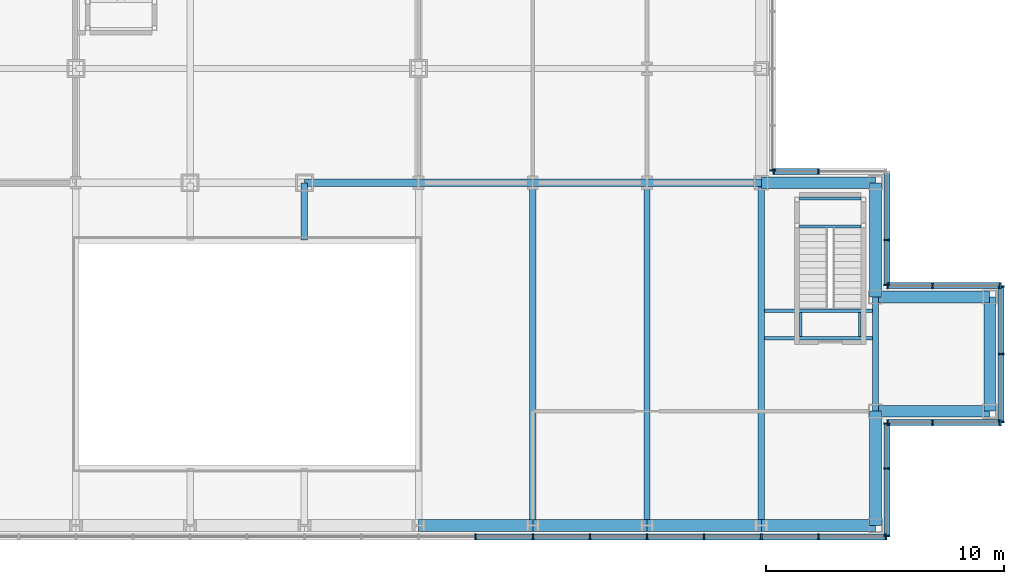
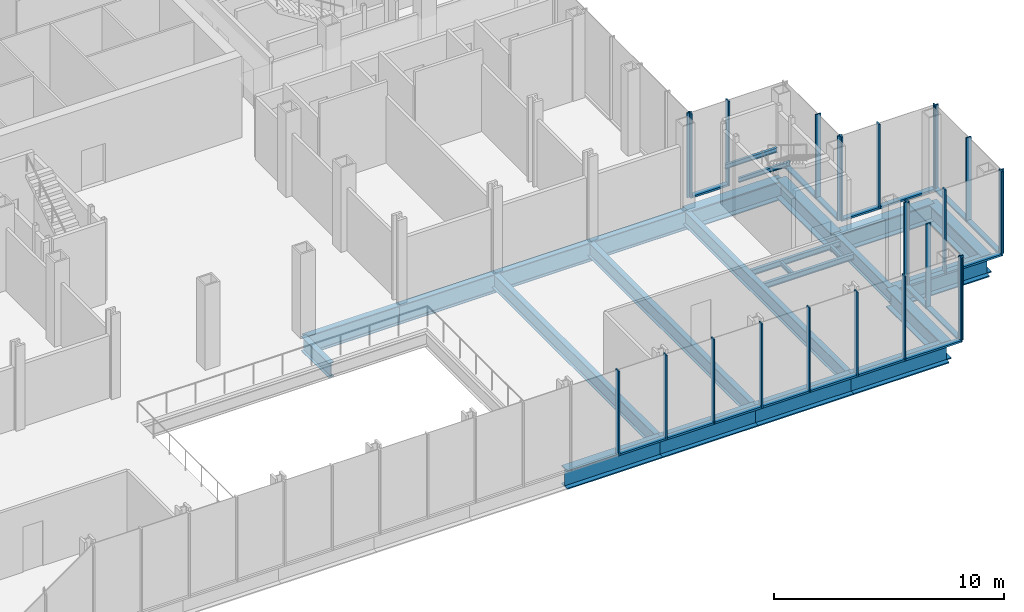
# One storey, part 13 of 25: 43 members, 25 beams, 8 elements without a shape of their own.
"""IFC4 building model written with IfcOpenShell, lengths in metres."""

from ifc_helpers import new_model, si_unit, direction, frame, origin, origin_2d, place, context, subcontext, project, spatial, rectangle, i_section, extrude, material, material_profile, profile_set, type_object, element, aggregate, save


model = new_model("IFC4")

# Units and contexts
model_context = context("Model", 3, precision=1e-05, world=origin(), true_north=direction((0.0, 1.0)))
body_context = subcontext(model_context, "Body", "Model", "MODEL_VIEW")
ifc_project = project(units=[si_unit("LENGTHUNIT", "METRE"), si_unit("AREAUNIT", "SQUARE_METRE"), si_unit("VOLUMEUNIT", "CUBIC_METRE"), si_unit("PLANEANGLEUNIT", "RADIAN"), si_unit("MASSUNIT", "GRAM", prefix="KILO")], contexts=[model_context])

# Site, building, storey
site_placement = place(None, origin())
site = spatial("IfcSite", under=ifc_project, at=site_placement, CompositionType="ELEMENT")
building_placement = place(site_placement, origin())
building = spatial("IfcBuilding", under=site, at=building_placement, Name="Kvirike Care Tower", CompositionType="ELEMENT")
storey_placement = place(building_placement, frame((0.0, 0.0, 13.5)))
storey = spatial("IfcBuildingStorey", under=building, at=storey_placement, Name="L03", CompositionType="ELEMENT", Elevation=13.5)

# Curtain wall, members
ifc_material_1 = material(Name="Anodised aluminium stick system", Category="aluminium")
curtain_wall_type = type_object("IfcCurtainWallType", Name="CW-P PODIUM STICK CURTAIN WALL", PredefinedType="NOTDEFINED", material=ifc_material_1)
curtain_wall_1_placement = place(storey_placement, origin())
curtain_wall_1 = element("IfcCurtainWall", 1, at=curtain_wall_1_placement, inside=storey, type_object=curtain_wall_type, Name="Curtain wall L03 face 1", PredefinedType="NOTDEFINED")
ifc_material_2 = material(Name="Bronze anodised aluminium mullion", Category="aluminium")
ifc_material_profile_1 = material_profile(ifc_material_2, rectangle(XDim=0.06494140625, YDim=0.25, at=origin_2d()), Name="CW-P MULLION 65x250")
ifc_profile_set_1 = profile_set([ifc_material_profile_1], Name="Bronze anodised aluminium mullion")
member_type_1 = type_object("IfcMemberType", Name="CW-P MULLION 65x250", PredefinedType="MULLION", material=ifc_profile_set_1)
member_1_placement = place(storey_placement, frame((31.199951171875, -0.47509765625, 0.0), z_axis=(0.0, 0.0, 1.0), x_axis=(1.0, 0.0, 0.0)))
member_1 = element("IfcMember", 2, at=member_1_placement, type_object=member_type_1, Name="CW-P mullion L03 face 1.16", PredefinedType="MULLION", context=body_context, shape_type="SweptSolid", body=[
    extrude(rectangle(XDim=0.06494140625, YDim=0.25, at=origin_2d()), origin(), (0.0, 0.0, 1.0), 4.5),
])
member_2_placement = place(storey_placement, frame((33.60009765625, -0.47509765625, 0.0), z_axis=(0.0, 0.0, 1.0), x_axis=(1.0, 0.0, 0.0)))
member_2 = element("IfcMember", 3, at=member_2_placement, type_object=member_type_1, Name="CW-P mullion L03 face 1.17", PredefinedType="MULLION", context=body_context, shape_type="SweptSolid", body=[
    extrude(rectangle(XDim=0.06494140625, YDim=0.25, at=origin_2d()), origin(), (0.0, 0.0, 1.0), 4.5),
])
member_3_placement = place(storey_placement, frame((36.0, -0.47509765625, 0.0), z_axis=(0.0, 0.0, 1.0), x_axis=(1.0, 0.0, 0.0)))
member_3 = element("IfcMember", 4, at=member_3_placement, type_object=member_type_1, Name="CW-P mullion L03 face 1.18", PredefinedType="MULLION", context=body_context, shape_type="SweptSolid", body=[
    extrude(rectangle(XDim=0.06494140625, YDim=0.25, at=origin_2d()), origin(), (0.0, 0.0, 1.0), 4.5),
])
member_4_placement = place(storey_placement, frame((38.39990234375, -0.47509765625, 0.0), z_axis=(0.0, 0.0, 1.0), x_axis=(1.0, 0.0, 0.0)))
member_4 = element("IfcMember", 5, at=member_4_placement, type_object=member_type_1, Name="CW-P mullion L03 face 1.19", PredefinedType="MULLION", context=body_context, shape_type="SweptSolid", body=[
    extrude(rectangle(XDim=0.06494140625, YDim=0.25, at=origin_2d()), origin(), (0.0, 0.0, 1.0), 4.5),
])
member_5_placement = place(storey_placement, frame((40.800048828125, -0.47509765625, 0.0), z_axis=(0.0, 0.0, 1.0), x_axis=(1.0, 0.0, 0.0)))
member_5 = element("IfcMember", 6, at=member_5_placement, type_object=member_type_1, Name="CW-P mullion L03 face 1.20", PredefinedType="MULLION", context=body_context, shape_type="SweptSolid", body=[
    extrude(rectangle(XDim=0.06494140625, YDim=0.25, at=origin_2d()), origin(), (0.0, 0.0, 1.0), 4.5),
])
member_6_placement = place(storey_placement, frame((43.199951171875, -0.47509765625, 0.0), z_axis=(0.0, 0.0, 1.0), x_axis=(1.0, 0.0, 0.0)))
member_6 = element("IfcMember", 7, at=member_6_placement, type_object=member_type_1, Name="CW-P mullion L03 face 1.21", PredefinedType="MULLION", context=body_context, shape_type="SweptSolid", body=[
    extrude(rectangle(XDim=0.06494140625, YDim=0.25, at=origin_2d()), origin(), (0.0, 0.0, 1.0), 4.5),
])
member_7_placement = place(storey_placement, frame((45.60009765625, -0.47509765625, 0.0), z_axis=(0.0, 0.0, 1.0), x_axis=(1.0, 0.0, 0.0)))
member_7 = element("IfcMember", 8, at=member_7_placement, type_object=member_type_1, Name="CW-P mullion L03 face 1.22", PredefinedType="MULLION", context=body_context, shape_type="SweptSolid", body=[
    extrude(rectangle(XDim=0.06494140625, YDim=0.25, at=origin_2d()), origin(), (0.0, 0.0, 1.0), 4.5),
])
member_8_placement = place(storey_placement, frame((48.4423828125, -0.47509765625, 0.0), z_axis=(0.0, 0.0, 1.0), x_axis=(1.0, 0.0, 0.0)))
member_8 = element("IfcMember", 9, at=member_8_placement, type_object=member_type_1, Name="CW-P mullion L03 face 1.23", PredefinedType="MULLION", context=body_context, shape_type="SweptSolid", body=[
    extrude(rectangle(XDim=0.06494140625, YDim=0.25, at=origin_2d()), origin(), (0.0, 0.0, 1.0), 4.5),
])

curtain_wall_2_placement = place(storey_placement, origin())
curtain_wall_2 = element("IfcCurtainWall", 10, at=curtain_wall_2_placement, inside=storey, type_object=curtain_wall_type, Name="Curtain wall L03 face 2", PredefinedType="NOTDEFINED")
member_9_placement = place(storey_placement, frame((48.47509765625, -0.4423828125, 0.0), z_axis=(0.0, 0.0, 1.0), x_axis=(0.0, 1.0, 0.0)))
member_9 = element("IfcMember", 11, at=member_9_placement, type_object=member_type_1, Name="CW-P mullion L03 face 2.1", PredefinedType="MULLION", context=body_context, shape_type="SweptSolid", body=[
    extrude(rectangle(XDim=0.06494140625, YDim=0.25, at=origin_2d()), origin(), (0.0, 0.0, 1.0), 4.5),
])
member_10_placement = place(storey_placement, frame((48.47509765625, 2.39990234375, 0.0), z_axis=(0.0, 0.0, 1.0), x_axis=(0.0, 1.0, 0.0)))
member_10 = element("IfcMember", 12, at=member_10_placement, type_object=member_type_1, Name="CW-P mullion L03 face 2.2", PredefinedType="MULLION", context=body_context, shape_type="SweptSolid", body=[
    extrude(rectangle(XDim=0.06494140625, YDim=0.25, at=origin_2d()), origin(), (0.0, 0.0, 1.0), 4.5),
])
member_11_placement = place(storey_placement, frame((48.47509765625, 4.29248046875, 0.0), z_axis=(0.0, 0.0, 1.0), x_axis=(0.0, 1.0, 0.0)))
member_11 = element("IfcMember", 13, at=member_11_placement, type_object=member_type_1, Name="CW-P mullion L03 face 2.3", PredefinedType="MULLION", context=body_context, shape_type="SweptSolid", body=[
    extrude(rectangle(XDim=0.06494140625, YDim=0.25, at=origin_2d()), origin(), (0.0, 0.0, 1.0), 4.5),
])

curtain_wall_3_placement = place(storey_placement, origin())
curtain_wall_3 = element("IfcCurtainWall", 14, at=curtain_wall_3_placement, inside=storey, type_object=curtain_wall_type, Name="Curtain wall L03 face 3", PredefinedType="NOTDEFINED")
member_12_placement = place(storey_placement, frame((48.507568359375, 4.324951171875, 0.0), z_axis=(0.0, 0.0, 1.0), x_axis=(1.0, 0.0, 0.0)))
member_12 = element("IfcMember", 15, at=member_12_placement, type_object=member_type_1, Name="CW-P mullion L03 face 3.1", PredefinedType="MULLION", context=body_context, shape_type="SweptSolid", body=[
    extrude(rectangle(XDim=0.06494140625, YDim=0.25, at=origin_2d()), origin(), (0.0, 0.0, 1.0), 4.5),
])
member_13_placement = place(storey_placement, frame((50.39990234375, 4.324951171875, 0.0), z_axis=(0.0, 0.0, 1.0), x_axis=(1.0, 0.0, 0.0)))
member_13 = element("IfcMember", 16, at=member_13_placement, type_object=member_type_1, Name="CW-P mullion L03 face 3.2", PredefinedType="MULLION", context=body_context, shape_type="SweptSolid", body=[
    extrude(rectangle(XDim=0.06494140625, YDim=0.25, at=origin_2d()), origin(), (0.0, 0.0, 1.0), 4.5),
])
member_14_placement = place(storey_placement, frame((53.242431640625, 4.324951171875, 0.0), z_axis=(0.0, 0.0, 1.0), x_axis=(1.0, 0.0, 0.0)))
member_14 = element("IfcMember", 17, at=member_14_placement, type_object=member_type_1, Name="CW-P mullion L03 face 3.3", PredefinedType="MULLION", context=body_context, shape_type="SweptSolid", body=[
    extrude(rectangle(XDim=0.06494140625, YDim=0.25, at=origin_2d()), origin(), (0.0, 0.0, 1.0), 4.5),
])

curtain_wall_4_placement = place(storey_placement, origin())
curtain_wall_4 = element("IfcCurtainWall", 18, at=curtain_wall_4_placement, inside=storey, type_object=curtain_wall_type, Name="Curtain wall L03 face 4", PredefinedType="NOTDEFINED")
member_15_placement = place(storey_placement, frame((53.27490234375, 4.357421875, 0.0), z_axis=(0.0, 0.0, 1.0), x_axis=(0.0, 1.0, 0.0)))
member_15 = element("IfcMember", 19, at=member_15_placement, type_object=member_type_1, Name="CW-P mullion L03 face 4.1", PredefinedType="MULLION", context=body_context, shape_type="SweptSolid", body=[
    extrude(rectangle(XDim=0.06494140625, YDim=0.25, at=origin_2d()), origin(), (0.0, 0.0, 1.0), 4.5),
])
member_16_placement = place(storey_placement, frame((53.27490234375, 7.199951171875, 0.0), z_axis=(0.0, 0.0, 1.0), x_axis=(0.0, 1.0, 0.0)))
member_16 = element("IfcMember", 20, at=member_16_placement, type_object=member_type_1, Name="CW-P mullion L03 face 4.2", PredefinedType="MULLION", context=body_context, shape_type="SweptSolid", body=[
    extrude(rectangle(XDim=0.06494140625, YDim=0.25, at=origin_2d()), origin(), (0.0, 0.0, 1.0), 4.5),
])
member_17_placement = place(storey_placement, frame((53.27490234375, 10.04248046875, 0.0), z_axis=(0.0, 0.0, 1.0), x_axis=(0.0, 1.0, 0.0)))
member_17 = element("IfcMember", 21, at=member_17_placement, type_object=member_type_1, Name="CW-P mullion L03 face 4.3", PredefinedType="MULLION", context=body_context, shape_type="SweptSolid", body=[
    extrude(rectangle(XDim=0.06494140625, YDim=0.25, at=origin_2d()), origin(), (0.0, 0.0, 1.0), 4.5),
])

curtain_wall_5_placement = place(storey_placement, origin())
curtain_wall_5 = element("IfcCurtainWall", 22, at=curtain_wall_5_placement, inside=storey, type_object=curtain_wall_type, Name="Curtain wall L03 face 5", PredefinedType="NOTDEFINED")
member_18_placement = place(storey_placement, frame((53.242431640625, 10.074951171875, 0.0), z_axis=(0.0, 0.0, 1.0), x_axis=(-1.0, 0.0, 0.0)))
member_18 = element("IfcMember", 23, at=member_18_placement, type_object=member_type_1, Name="CW-P mullion L03 face 5.1", PredefinedType="MULLION", context=body_context, shape_type="SweptSolid", body=[
    extrude(rectangle(XDim=0.06494140625, YDim=0.25, at=origin_2d()), origin(), (0.0, 0.0, 1.0), 4.5),
])
member_19_placement = place(storey_placement, frame((50.39990234375, 10.074951171875, 0.0), z_axis=(0.0, 0.0, 1.0), x_axis=(-1.0, 0.0, 0.0)))
member_19 = element("IfcMember", 24, at=member_19_placement, type_object=member_type_1, Name="CW-P mullion L03 face 5.2", PredefinedType="MULLION", context=body_context, shape_type="SweptSolid", body=[
    extrude(rectangle(XDim=0.06494140625, YDim=0.25, at=origin_2d()), origin(), (0.0, 0.0, 1.0), 4.5),
])
member_20_placement = place(storey_placement, frame((48.507568359375, 10.074951171875, 0.0), z_axis=(0.0, 0.0, 1.0), x_axis=(-1.0, 0.0, 0.0)))
member_20 = element("IfcMember", 25, at=member_20_placement, type_object=member_type_1, Name="CW-P mullion L03 face 5.3", PredefinedType="MULLION", context=body_context, shape_type="SweptSolid", body=[
    extrude(rectangle(XDim=0.06494140625, YDim=0.25, at=origin_2d()), origin(), (0.0, 0.0, 1.0), 4.5),
])

curtain_wall_6_placement = place(storey_placement, origin())
curtain_wall_6 = element("IfcCurtainWall", 26, at=curtain_wall_6_placement, inside=storey, type_object=curtain_wall_type, Name="Curtain wall L03 face 6", PredefinedType="NOTDEFINED")
member_21_placement = place(storey_placement, frame((48.47509765625, 10.107421875, 0.0), z_axis=(0.0, 0.0, 1.0), x_axis=(0.0, 1.0, 0.0)))
member_21 = element("IfcMember", 27, at=member_21_placement, type_object=member_type_1, Name="CW-P mullion L03 face 6.1", PredefinedType="MULLION", context=body_context, shape_type="SweptSolid", body=[
    extrude(rectangle(XDim=0.06494140625, YDim=0.25, at=origin_2d()), origin(), (0.0, 0.0, 1.0), 4.5),
])
member_22_placement = place(storey_placement, frame((48.47509765625, 12.0, 0.0), z_axis=(0.0, 0.0, 1.0), x_axis=(0.0, 1.0, 0.0)))
member_22 = element("IfcMember", 28, at=member_22_placement, type_object=member_type_1, Name="CW-P mullion L03 face 6.2", PredefinedType="MULLION", context=body_context, shape_type="SweptSolid", body=[
    extrude(rectangle(XDim=0.06494140625, YDim=0.25, at=origin_2d()), origin(), (0.0, 0.0, 1.0), 4.5),
])

curtain_wall_7_placement = place(storey_placement, origin())
curtain_wall_7 = element("IfcCurtainWall", 29, at=curtain_wall_7_placement, inside=storey, type_object=curtain_wall_type, Name="Curtain wall L03 face 7", PredefinedType="NOTDEFINED")
member_23_placement = place(storey_placement, frame((45.60009765625, 14.875, 0.0), z_axis=(0.0, 0.0, 1.0), x_axis=(-1.0, 0.0, 0.0)))
member_23 = element("IfcMember", 30, at=member_23_placement, type_object=member_type_1, Name="CW-P mullion L03 face 7.2", PredefinedType="MULLION", context=body_context, shape_type="SweptSolid", body=[
    extrude(rectangle(XDim=0.06494140625, YDim=0.25, at=origin_2d()), origin(), (0.0, 0.0, 1.0), 4.5),
])
member_24_placement = place(storey_placement, frame((43.70751953125, 14.875, 0.0), z_axis=(0.0, 0.0, 1.0), x_axis=(-1.0, 0.0, 0.0)))
member_24 = element("IfcMember", 31, at=member_24_placement, type_object=member_type_1, Name="CW-P mullion L03 face 7.3", PredefinedType="MULLION", context=body_context, shape_type="SweptSolid", body=[
    extrude(rectangle(XDim=0.06494140625, YDim=0.25, at=origin_2d()), origin(), (0.0, 0.0, 1.0), 4.5),
])

# Curtain wall, member
curtain_wall_8_placement = place(storey_placement, origin())
curtain_wall_8 = element("IfcCurtainWall", 32, at=curtain_wall_8_placement, inside=storey, type_object=curtain_wall_type, Name="Curtain wall L03 face 8", PredefinedType="NOTDEFINED")
member_25_placement = place(storey_placement, frame((43.675048828125, 14.907470703125, 0.0), z_axis=(0.0, 0.0, 1.0), x_axis=(0.0, 1.0, 0.0)))
member_25 = element("IfcMember", 33, at=member_25_placement, type_object=member_type_1, Name="CW-P mullion L03 face 8.1", PredefinedType="MULLION", context=body_context, shape_type="SweptSolid", body=[
    extrude(rectangle(XDim=0.06494140625, YDim=0.25, at=origin_2d()), origin(), (0.0, 0.0, 1.0), 4.5),
])
aggregate(curtain_wall_8, [member_25])

# Member
ifc_material_3 = material(Name="Bronze anodised aluminium transom", Category="aluminium")
ifc_material_profile_2 = material_profile(ifc_material_3, rectangle(XDim=0.25, YDim=0.10009765625, at=origin_2d()), Name="CW-P TRANSOM 250x100")
ifc_profile_set_2 = profile_set([ifc_material_profile_2], Name="Bronze anodised aluminium transom")
member_type_2 = type_object("IfcMemberType", Name="CW-P TRANSOM 250x100", PredefinedType="USERDEFINED", material=ifc_profile_set_2)
member_26_placement = place(storey_placement, frame((31.232421875, -0.47509765625, 0.050048828125), z_axis=(1.0, 0.0, 0.0), x_axis=(0.0, 1.0, 0.0)))
member_26 = element("IfcMember", 34, at=member_26_placement, type_object=member_type_2, Name="CW-P sill transom L03 face 1.16", ObjectType="TRANSOM", PredefinedType="USERDEFINED", context=body_context, shape_type="SweptSolid", body=[
    extrude(rectangle(XDim=0.25, YDim=0.10009765625, at=origin_2d()), origin(), (0.0, 0.0, 1.0), 2.3349609375),
])

member_27_placement = place(storey_placement, frame((33.632568359375, -0.47509765625, 0.050048828125), z_axis=(1.0, 0.0, 0.0), x_axis=(0.0, 1.0, 0.0)))
member_27 = element("IfcMember", 35, at=member_27_placement, type_object=member_type_2, Name="CW-P sill transom L03 face 1.17", ObjectType="TRANSOM", PredefinedType="USERDEFINED", context=body_context, shape_type="SweptSolid", body=[
    extrude(rectangle(XDim=0.25, YDim=0.10009765625, at=origin_2d()), origin(), (0.0, 0.0, 1.0), 2.3349609375),
])

member_28_placement = place(storey_placement, frame((36.032470703125, -0.47509765625, 0.050048828125), z_axis=(1.0, 0.0, 0.0), x_axis=(0.0, 1.0, 0.0)))
member_28 = element("IfcMember", 36, at=member_28_placement, type_object=member_type_2, Name="CW-P sill transom L03 face 1.18", ObjectType="TRANSOM", PredefinedType="USERDEFINED", context=body_context, shape_type="SweptSolid", body=[
    extrude(rectangle(XDim=0.25, YDim=0.10009765625, at=origin_2d()), origin(), (0.0, 0.0, 1.0), 2.3349609375),
])

member_29_placement = place(storey_placement, frame((38.4326171875, -0.47509765625, 0.050048828125), z_axis=(1.0, 0.0, 0.0), x_axis=(0.0, 1.0, 0.0)))
member_29 = element("IfcMember", 37, at=member_29_placement, type_object=member_type_2, Name="CW-P sill transom L03 face 1.19", ObjectType="TRANSOM", PredefinedType="USERDEFINED", context=body_context, shape_type="SweptSolid", body=[
    extrude(rectangle(XDim=0.25, YDim=0.10009765625, at=origin_2d()), origin(), (0.0, 0.0, 1.0), 2.3349609375),
])

member_30_placement = place(storey_placement, frame((40.83251953125, -0.47509765625, 0.050048828125), z_axis=(1.0, 0.0, 0.0), x_axis=(0.0, 1.0, 0.0)))
member_30 = element("IfcMember", 38, at=member_30_placement, type_object=member_type_2, Name="CW-P sill transom L03 face 1.20", ObjectType="TRANSOM", PredefinedType="USERDEFINED", context=body_context, shape_type="SweptSolid", body=[
    extrude(rectangle(XDim=0.25, YDim=0.10009765625, at=origin_2d()), origin(), (0.0, 0.0, 1.0), 2.3349609375),
])

member_31_placement = place(storey_placement, frame((43.232421875, -0.47509765625, 0.050048828125), z_axis=(1.0, 0.0, 0.0), x_axis=(0.0, 1.0, 0.0)))
member_31 = element("IfcMember", 39, at=member_31_placement, type_object=member_type_2, Name="CW-P sill transom L03 face 1.21", ObjectType="TRANSOM", PredefinedType="USERDEFINED", context=body_context, shape_type="SweptSolid", body=[
    extrude(rectangle(XDim=0.25, YDim=0.10009765625, at=origin_2d()), origin(), (0.0, 0.0, 1.0), 2.3349609375),
])

member_32_placement = place(storey_placement, frame((45.632568359375, -0.47509765625, 0.050048828125), z_axis=(1.0, 0.0, 0.0), x_axis=(0.0, 1.0, 0.0)))
member_32 = element("IfcMember", 40, at=member_32_placement, type_object=member_type_2, Name="CW-P sill transom L03 face 1.22", ObjectType="TRANSOM", PredefinedType="USERDEFINED", context=body_context, shape_type="SweptSolid", body=[
    extrude(rectangle(XDim=0.25, YDim=0.10009765625, at=origin_2d()), origin(), (0.0, 0.0, 1.0), 2.77734375),
])

aggregate(curtain_wall_1, [member_1, member_2, member_3, member_4, member_5, member_6, member_7, member_8, member_26, member_27, member_28, member_29, member_30, member_31, member_32])

member_33_placement = place(storey_placement, frame((48.47509765625, -0.409912109375, 0.050048828125), z_axis=(0.0, 1.0, 0.0), x_axis=(-1.0, 0.0, 0.0)))
member_33 = element("IfcMember", 41, at=member_33_placement, type_object=member_type_2, Name="CW-P sill transom L03 face 2.1", ObjectType="TRANSOM", PredefinedType="USERDEFINED", context=body_context, shape_type="SweptSolid", body=[
    extrude(rectangle(XDim=0.25, YDim=0.10009765625, at=origin_2d()), origin(), (0.0, 0.0, 1.0), 2.77734375),
])

member_34_placement = place(storey_placement, frame((48.47509765625, 2.4326171875, 0.050048828125), z_axis=(0.0, 1.0, 0.0), x_axis=(-1.0, 0.0, 0.0)))
member_34 = element("IfcMember", 42, at=member_34_placement, type_object=member_type_2, Name="CW-P sill transom L03 face 2.2", ObjectType="TRANSOM", PredefinedType="USERDEFINED", context=body_context, shape_type="SweptSolid", body=[
    extrude(rectangle(XDim=0.25, YDim=0.10009765625, at=origin_2d()), origin(), (0.0, 0.0, 1.0), 1.827392578125),
])

aggregate(curtain_wall_2, [member_9, member_10, member_11, member_33, member_34])

member_35_placement = place(storey_placement, frame((48.5400390625, 4.324951171875, 0.050048828125), z_axis=(1.0, 0.0, 0.0), x_axis=(0.0, 1.0, 0.0)))
member_35 = element("IfcMember", 43, at=member_35_placement, type_object=member_type_2, Name="CW-P sill transom L03 face 3.1", ObjectType="TRANSOM", PredefinedType="USERDEFINED", context=body_context, shape_type="SweptSolid", body=[
    extrude(rectangle(XDim=0.25, YDim=0.10009765625, at=origin_2d()), origin(), (0.0, 0.0, 1.0), 1.827392578125),
])

member_36_placement = place(storey_placement, frame((50.4326171875, 4.324951171875, 0.050048828125), z_axis=(1.0, 0.0, 0.0), x_axis=(0.0, 1.0, 0.0)))
member_36 = element("IfcMember", 44, at=member_36_placement, type_object=member_type_2, Name="CW-P sill transom L03 face 3.2", ObjectType="TRANSOM", PredefinedType="USERDEFINED", context=body_context, shape_type="SweptSolid", body=[
    extrude(rectangle(XDim=0.25, YDim=0.10009765625, at=origin_2d()), origin(), (0.0, 0.0, 1.0), 2.77734375),
])

aggregate(curtain_wall_3, [member_12, member_13, member_14, member_35, member_36])

member_37_placement = place(storey_placement, frame((53.27490234375, 4.389892578125, 0.050048828125), z_axis=(0.0, 1.0, 0.0), x_axis=(-1.0, 0.0, 0.0)))
member_37 = element("IfcMember", 45, at=member_37_placement, type_object=member_type_2, Name="CW-P sill transom L03 face 4.1", ObjectType="TRANSOM", PredefinedType="USERDEFINED", context=body_context, shape_type="SweptSolid", body=[
    extrude(rectangle(XDim=0.25, YDim=0.10009765625, at=origin_2d()), origin(), (0.0, 0.0, 1.0), 2.777587890625),
])

member_38_placement = place(storey_placement, frame((53.27490234375, 7.232421875, 0.050048828125), z_axis=(0.0, 1.0, 0.0), x_axis=(-1.0, 0.0, 0.0)))
member_38 = element("IfcMember", 46, at=member_38_placement, type_object=member_type_2, Name="CW-P sill transom L03 face 4.2", ObjectType="TRANSOM", PredefinedType="USERDEFINED", context=body_context, shape_type="SweptSolid", body=[
    extrude(rectangle(XDim=0.25, YDim=0.10009765625, at=origin_2d()), origin(), (0.0, 0.0, 1.0), 2.777587890625),
])

aggregate(curtain_wall_4, [member_15, member_16, member_17, member_37, member_38])

member_39_placement = place(storey_placement, frame((53.2099609375, 10.074951171875, 0.050048828125), z_axis=(-1.0, 0.0, 0.0), x_axis=(0.0, -1.0, 0.0)))
member_39 = element("IfcMember", 47, at=member_39_placement, type_object=member_type_2, Name="CW-P sill transom L03 face 5.1", ObjectType="TRANSOM", PredefinedType="USERDEFINED", context=body_context, shape_type="SweptSolid", body=[
    extrude(rectangle(XDim=0.25, YDim=0.10009765625, at=origin_2d()), origin(), (0.0, 0.0, 1.0), 2.77734375),
])

member_40_placement = place(storey_placement, frame((50.367431640625, 10.074951171875, 0.050048828125), z_axis=(-1.0, 0.0, 0.0), x_axis=(0.0, -1.0, 0.0)))
member_40 = element("IfcMember", 48, at=member_40_placement, type_object=member_type_2, Name="CW-P sill transom L03 face 5.2", ObjectType="TRANSOM", PredefinedType="USERDEFINED", context=body_context, shape_type="SweptSolid", body=[
    extrude(rectangle(XDim=0.25, YDim=0.10009765625, at=origin_2d()), origin(), (0.0, 0.0, 1.0), 1.827392578125),
])

aggregate(curtain_wall_5, [member_18, member_19, member_20, member_39, member_40])

member_41_placement = place(storey_placement, frame((48.47509765625, 10.139892578125, 0.050048828125), z_axis=(0.0, 1.0, 0.0), x_axis=(-1.0, 0.0, 0.0)))
member_41 = element("IfcMember", 49, at=member_41_placement, type_object=member_type_2, Name="CW-P sill transom L03 face 6.1", ObjectType="TRANSOM", PredefinedType="USERDEFINED", context=body_context, shape_type="SweptSolid", body=[
    extrude(rectangle(XDim=0.25, YDim=0.10009765625, at=origin_2d()), origin(), (0.0, 0.0, 1.0), 1.82763671875),
])

member_42_placement = place(storey_placement, frame((48.47509765625, 12.032470703125, 0.050048828125), z_axis=(0.0, 1.0, 0.0), x_axis=(-1.0, 0.0, 0.0)))
member_42 = element("IfcMember", 50, at=member_42_placement, type_object=member_type_2, Name="CW-P sill transom L03 face 6.2", ObjectType="TRANSOM", PredefinedType="USERDEFINED", context=body_context, shape_type="SweptSolid", body=[
    extrude(rectangle(XDim=0.25, YDim=0.10009765625, at=origin_2d()), origin(), (0.0, 0.0, 1.0), 2.777587890625),
])

aggregate(curtain_wall_6, [member_21, member_22, member_41, member_42])

member_43_placement = place(storey_placement, frame((45.5673828125, 14.875, 0.050048828125), z_axis=(-1.0, 0.0, 0.0), x_axis=(0.0, -1.0, 0.0)))
member_43 = element("IfcMember", 51, at=member_43_placement, type_object=member_type_2, Name="CW-P sill transom L03 face 7.2", ObjectType="TRANSOM", PredefinedType="USERDEFINED", context=body_context, shape_type="SweptSolid", body=[
    extrude(rectangle(XDim=0.25, YDim=0.10009765625, at=origin_2d()), origin(), (0.0, 0.0, 1.0), 1.827392578125),
])

aggregate(curtain_wall_7, [member_23, member_24, member_43])

# Beams
ifc_material_4 = material(Name="Steel S355", Category="steel")
ifc_material_profile_3 = material_profile(ifc_material_4, i_section(OverallWidth=0.26806640625, OverallDepth=0.77001953125, WebThickness=0.015625, FlangeThickness=0.025390625, FilletRadius=0.01708984375, at=origin_2d()), Name="IPE 750x196")
ifc_profile_set_3 = profile_set([ifc_material_profile_3], Name="Steel S355")
beam_type_1 = type_object("IfcBeamType", Name="FLOOR BEAM IPE 750x196", PredefinedType="BEAM", material=ifc_profile_set_3)
beam_1_placement = place(storey_placement, frame((24.0, 12.0, -0.554931640625), z_axis=(0.0, 1.0, 0.0), x_axis=(-1.0, 0.0, 0.0)))
element("IfcBeam", 52, at=beam_1_placement, inside=storey, type_object=beam_type_1, Name="Floor Beam 24.00/12.00-D8 L03", PredefinedType="BEAM", context=body_context, shape_type="SweptSolid", body=[
    extrude(i_section(OverallWidth=0.26806640625, OverallDepth=0.77001953125, WebThickness=0.015625, FlangeThickness=0.025390625, FilletRadius=0.01708984375, at=origin_2d()), origin(), (0.0, 0.0, 1.0), 2.39990234375),
])
for number, where, z_axis, x_axis, name in (
    (53, (33.60009765625, 0.0, -0.554931640625), (0.0, 1.0, 0.0), (-1.0, 0.0, 0.0), "Floor Beam A10-D10 L03"),
    (54, (38.39990234375, 0.0, -0.554931640625), (0.0, 1.0, 0.0), (-1.0, 0.0, 0.0), "Floor Beam A11-D11 L03"),
    (55, (43.199951171875, 0.0, -0.554931640625), (0.0, 1.0, 0.0), (-1.0, 0.0, 0.0), "Floor Beam A12-D12 L03"),
):
    element("IfcBeam", number, at=place(storey_placement, frame(where, z_axis=z_axis, x_axis=x_axis)), inside=storey, type_object=beam_type_1, Name=name, PredefinedType="BEAM", context=body_context, shape_type="SweptSolid", body=[
        extrude(i_section(OverallWidth=0.26806640625, OverallDepth=0.77001953125, WebThickness=0.015625, FlangeThickness=0.025390625, FilletRadius=0.01708984375, at=origin_2d()), origin(), (0.0, 0.0, 1.0), 14.39990234375),
    ])
beam_2_placement = place(storey_placement, frame((48.0, 4.800048828125, -0.554931640625), z_axis=(0.0, 1.0, 0.0), x_axis=(-1.0, 0.0, 0.0)))
element("IfcBeam", 56, at=beam_2_placement, inside=storey, type_object=beam_type_1, Name="Floor Beam B13-C13 L03", PredefinedType="BEAM", context=body_context, shape_type="SweptSolid", body=[
    extrude(i_section(OverallWidth=0.26806640625, OverallDepth=0.77001953125, WebThickness=0.015625, FlangeThickness=0.025390625, FilletRadius=0.01708984375, at=origin_2d()), origin(), (0.0, 0.0, 1.0), 4.800048828125),
])
ifc_material_5 = material(Name="Steel S355", Category="steel")
ifc_material_profile_4 = material_profile(ifc_material_5, i_section(OverallWidth=0.300048828125, OverallDepth=1.0, WebThickness=0.01904296875, FlangeThickness=0.035888671875, FilletRadius=0.030029296875, at=origin_2d()), Name="HE 1000 B")
ifc_profile_set_4 = profile_set([ifc_material_profile_4], Name="Steel S355")
beam_type_2 = type_object("IfcBeamType", Name="FRAME BEAM HE 1000 B", PredefinedType="BEAM", material=ifc_profile_set_4)
for number, where, z_axis, x_axis, name in (
    (57, (24.0, 14.39990234375, -0.669921875), (1.0, 0.0, 0.0), (0.0, 1.0, 0.0), "Frame Beam D8-D9 L03"),
    (58, (28.800048828125, 14.39990234375, -0.669921875), (1.0, 0.0, 0.0), (0.0, 1.0, 0.0), "Frame Beam D9-D10 L03"),
):
    element("IfcBeam", number, at=place(storey_placement, frame(where, z_axis=z_axis, x_axis=x_axis)), inside=storey, type_object=beam_type_2, Name=name, PredefinedType="BEAM", context=body_context, shape_type="SweptSolid", body=[
        extrude(i_section(OverallWidth=0.300048828125, OverallDepth=1.0, WebThickness=0.01904296875, FlangeThickness=0.035888671875, FilletRadius=0.030029296875, at=origin_2d()), origin(), (0.0, 0.0, 1.0), 4.800048828125),
    ])
beam_3_placement = place(storey_placement, frame((33.60009765625, 14.39990234375, -0.669921875), z_axis=(1.0, 0.0, 0.0), x_axis=(0.0, 1.0, 0.0)))
element("IfcBeam", 59, at=beam_3_placement, inside=storey, type_object=beam_type_2, Name="Frame Beam D10-D11 L03", PredefinedType="BEAM", context=body_context, shape_type="SweptSolid", body=[
    extrude(i_section(OverallWidth=0.300048828125, OverallDepth=1.0, WebThickness=0.01904296875, FlangeThickness=0.035888671875, FilletRadius=0.030029296875, at=origin_2d()), origin(), (0.0, 0.0, 1.0), 4.7998046875),
])
beam_4_placement = place(storey_placement, frame((38.39990234375, 14.39990234375, -0.669921875), z_axis=(1.0, 0.0, 0.0), x_axis=(0.0, 1.0, 0.0)))
element("IfcBeam", 60, at=beam_4_placement, inside=storey, type_object=beam_type_2, Name="Frame Beam D11-D12 L03", PredefinedType="BEAM", context=body_context, shape_type="SweptSolid", body=[
    extrude(i_section(OverallWidth=0.300048828125, OverallDepth=1.0, WebThickness=0.01904296875, FlangeThickness=0.035888671875, FilletRadius=0.030029296875, at=origin_2d()), origin(), (0.0, 0.0, 1.0), 4.800048828125),
])
ifc_material_6 = material(Name="Steel S355", Category="steel")
ifc_material_profile_5 = material_profile(ifc_material_6, i_section(OverallWidth=0.5, OverallDepth=1.0, WebThickness=0.030029296875, FlangeThickness=0.06005859375, at=origin_2d()), Name="PG 1000x500x30x60")
ifc_profile_set_5 = profile_set([ifc_material_profile_5], Name="Steel S355")
beam_type_3 = type_object("IfcBeamType", Name="SPANDREL PG 1000x500x30x60", PredefinedType="SPANDREL", material=ifc_profile_set_5)
beam_5_placement = place(storey_placement, frame((28.800048828125, 0.0, -0.669921875), z_axis=(1.0, 0.0, 0.0), x_axis=(0.0, 1.0, 0.0)))
element("IfcBeam", 61, at=beam_5_placement, inside=storey, type_object=beam_type_3, Name="Spandrel A9-A10 L03", PredefinedType="SPANDREL", context=body_context, shape_type="SweptSolid", body=[
    extrude(i_section(OverallWidth=0.5, OverallDepth=1.0, WebThickness=0.030029296875, FlangeThickness=0.06005859375, at=origin_2d()), origin(), (0.0, 0.0, 1.0), 4.800048828125),
])
beam_6_placement = place(storey_placement, frame((33.60009765625, 0.0, -0.669921875), z_axis=(1.0, 0.0, 0.0), x_axis=(0.0, 1.0, 0.0)))
element("IfcBeam", 62, at=beam_6_placement, inside=storey, type_object=beam_type_3, Name="Spandrel A10-A11 L03", PredefinedType="SPANDREL", context=body_context, shape_type="SweptSolid", body=[
    extrude(i_section(OverallWidth=0.5, OverallDepth=1.0, WebThickness=0.030029296875, FlangeThickness=0.06005859375, at=origin_2d()), origin(), (0.0, 0.0, 1.0), 4.7998046875),
])
for number, where, z_axis, x_axis, name in (
    (63, (38.39990234375, 0.0, -0.669921875), (1.0, 0.0, 0.0), (0.0, 1.0, 0.0), "Spandrel A11-A12 L03"),
    (64, (43.199951171875, 0.0, -0.669921875), (1.0, 0.0, 0.0), (0.0, 1.0, 0.0), "Spandrel A12-A13 L03"),
    (65, (48.0, 4.800048828125, -0.669921875), (1.0, 0.0, 0.0), (0.0, 1.0, 0.0), "Spandrel B13-B14 L03"),
    (66, (48.0, 9.60009765625, -0.669921875), (1.0, 0.0, 0.0), (0.0, 1.0, 0.0), "Spandrel C13-C14 L03"),
    (67, (43.199951171875, 14.39990234375, -0.669921875), (1.0, 0.0, 0.0), (0.0, 1.0, 0.0), "Spandrel D12-D13 L03"),
    (68, (48.0, 0.0, -0.669921875), (0.0, 1.0, 0.0), (-1.0, 0.0, 0.0), "Spandrel A13-B13 L03"),
):
    element("IfcBeam", number, at=place(storey_placement, frame(where, z_axis=z_axis, x_axis=x_axis)), inside=storey, type_object=beam_type_3, Name=name, PredefinedType="SPANDREL", context=body_context, shape_type="SweptSolid", body=[
        extrude(i_section(OverallWidth=0.5, OverallDepth=1.0, WebThickness=0.030029296875, FlangeThickness=0.06005859375, at=origin_2d()), origin(), (0.0, 0.0, 1.0), 4.800048828125),
    ])
beam_7_placement = place(storey_placement, frame((48.0, 9.60009765625, -0.669921875), z_axis=(0.0, 1.0, 0.0), x_axis=(-1.0, 0.0, 0.0)))
element("IfcBeam", 69, at=beam_7_placement, inside=storey, type_object=beam_type_3, Name="Spandrel C13-D13 L03", PredefinedType="SPANDREL", context=body_context, shape_type="SweptSolid", body=[
    extrude(i_section(OverallWidth=0.5, OverallDepth=1.0, WebThickness=0.030029296875, FlangeThickness=0.06005859375, at=origin_2d()), origin(), (0.0, 0.0, 1.0), 4.7998046875),
])
beam_8_placement = place(storey_placement, frame((52.800048828125, 4.800048828125, -0.669921875), z_axis=(0.0, 1.0, 0.0), x_axis=(-1.0, 0.0, 0.0)))
element("IfcBeam", 70, at=beam_8_placement, inside=storey, type_object=beam_type_3, Name="Spandrel B14-C14 L03", PredefinedType="SPANDREL", context=body_context, shape_type="SweptSolid", body=[
    extrude(i_section(OverallWidth=0.5, OverallDepth=1.0, WebThickness=0.030029296875, FlangeThickness=0.06005859375, at=origin_2d()), origin(), (0.0, 0.0, 1.0), 4.800048828125),
])
ifc_material_7 = material(Name="Steel S355", Category="steel")
ifc_material_profile_6 = material_profile(ifc_material_7, i_section(OverallWidth=0.1201171875, OverallDepth=0.239990234375, WebThickness=0.006103515625, FlangeThickness=0.009765625, FilletRadius=0.014892578125, at=origin_2d()), Name="IPE 240")
ifc_profile_set_6 = profile_set([ifc_material_profile_6], Name="Steel S355")
beam_type_4 = type_object("IfcBeamType", Name="STAIR LANDING BEAM IPE 240", PredefinedType="BEAM", material=ifc_profile_set_6)
for number, where, z_axis, x_axis, name in (
    (71, (44.800048828125, 13.739990234375, 1.929931640625), (1.0, 0.0, 0.0), (0.0, 1.0, 0.0), "Stair 4 landing beam back L03"),
    (72, (44.800048828125, 12.56005859375, 1.929931640625), (1.0, 0.0, 0.0), (0.0, 1.0, 0.0), "Stair 4 landing beam front L03"),
):
    element("IfcBeam", number, at=place(storey_placement, frame(where, z_axis=z_axis, x_axis=x_axis)), inside=storey, type_object=beam_type_4, Name=name, PredefinedType="BEAM", context=body_context, shape_type="SweptSolid", body=[
        extrude(i_section(OverallWidth=0.1201171875, OverallDepth=0.239990234375, WebThickness=0.006103515625, FlangeThickness=0.009765625, FilletRadius=0.014892578125, at=origin_2d()), origin(), (0.0, 0.0, 1.0), 2.599853515625),
    ])
for number, where, z_axis, x_axis, name in (
    (73, (44.860107421875, 8.949951171875, -0.320068359375), (0.0, -1.0, 0.0), (1.0, 0.0, 0.0), "Stair 4 landing edge beam 1 L03"),
    (74, (47.340087890625, 8.949951171875, -0.320068359375), (0.0, -1.0, 0.0), (1.0, 0.0, 0.0), "Stair 4 landing edge beam 2 L03"),
):
    element("IfcBeam", number, at=place(storey_placement, frame(where, z_axis=z_axis, x_axis=x_axis)), inside=storey, type_object=beam_type_4, Name=name, PredefinedType="BEAM", context=body_context, shape_type="SweptSolid", body=[
        extrude(i_section(OverallWidth=0.1201171875, OverallDepth=0.239990234375, WebThickness=0.006103515625, FlangeThickness=0.009765625, FilletRadius=0.014892578125, at=origin_2d()), origin(), (0.0, 0.0, 1.0), 1.0),
    ])
ifc_material_8 = material(Name="Steel S355", Category="steel")
ifc_material_profile_7 = material_profile(ifc_material_8, i_section(OverallWidth=0.14990234375, OverallDepth=0.300048828125, WebThickness=0.007080078125, FlangeThickness=0.0107421875, FilletRadius=0.014892578125, at=origin_2d()), Name="IPE 300")
ifc_profile_set_7 = profile_set([ifc_material_profile_7], Name="Steel S355")
beam_type_5 = type_object("IfcBeamType", Name="STAIR TRIMMER IPE 300", PredefinedType="BEAM", material=ifc_profile_set_7)
for number, where, z_axis, x_axis, name in (
    (75, (43.333984375, 9.02490234375, -0.35009765625), (1.0, 0.0, 0.0), (0.0, 1.0, 0.0), "Stair 4 trimmer 1 L03"),
    (76, (43.333984375, 7.875, -0.35009765625), (1.0, 0.0, 0.0), (0.0, 1.0, 0.0), "Stair 4 trimmer 2 L03"),
):
    element("IfcBeam", number, at=place(storey_placement, frame(where, z_axis=z_axis, x_axis=x_axis)), inside=storey, type_object=beam_type_5, Name=name, PredefinedType="BEAM", context=body_context, shape_type="SweptSolid", body=[
        extrude(i_section(OverallWidth=0.14990234375, OverallDepth=0.300048828125, WebThickness=0.007080078125, FlangeThickness=0.0107421875, FilletRadius=0.014892578125, at=origin_2d()), origin(), (0.0, 0.0, 1.0), 4.531982421875),
    ])

save(model, "model.ifc")
